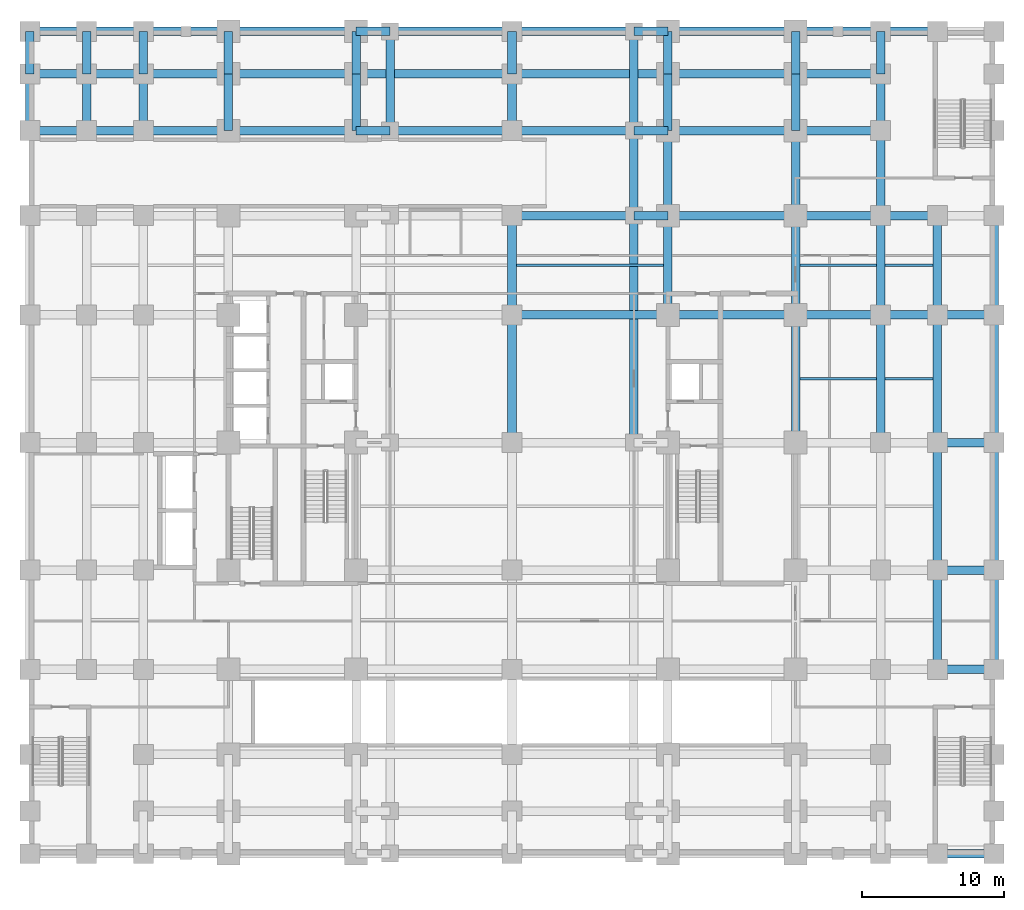
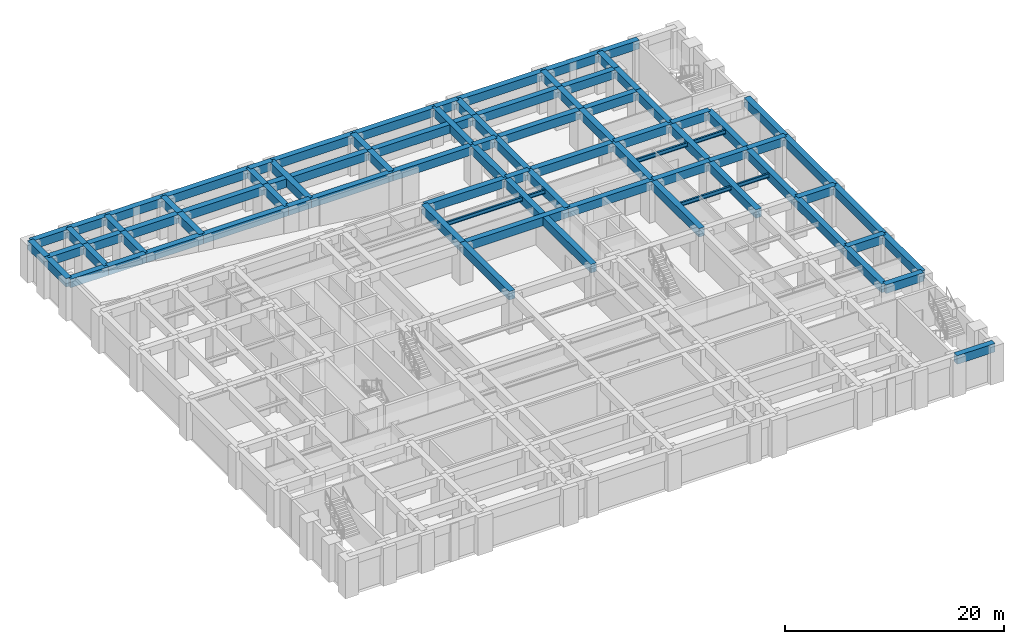
# One storey, part 3 of 14: 88 beams.
"""IFC4 building model written with IfcOpenShell, lengths in metres."""

from ifc_helpers import new_model, si_unit, direction, frame, origin, origin_2d, place, context, subcontext, project, spatial, rectangle, i_section, extrude, material, material_profile, profile_set, type_object, element, save


model = new_model("IFC4")

# Units and contexts
model_context = context("Model", 3, precision=1e-05, world=origin(), true_north=direction((0.0, 1.0)))
body_context = subcontext(model_context, "Body", "Model", "MODEL_VIEW")
ifc_project = project(units=[si_unit("LENGTHUNIT", "METRE"), si_unit("AREAUNIT", "SQUARE_METRE"), si_unit("VOLUMEUNIT", "CUBIC_METRE"), si_unit("PLANEANGLEUNIT", "RADIAN"), si_unit("MASSUNIT", "GRAM", prefix="KILO")], contexts=[model_context])

# Site, building, storey
site_placement = place(None, origin())
site = spatial("IfcSite", under=ifc_project, at=site_placement, CompositionType="ELEMENT")
building_placement = place(site_placement, origin())
building = spatial("IfcBuilding", under=site, at=building_placement, Name="Zulmaris Gate Convention Tower", CompositionType="ELEMENT")
storey_placement = place(building_placement, frame((0.0, 0.0, -4.550048828125)))
storey = spatial("IfcBuildingStorey", under=building, at=storey_placement, Name="B1", CompositionType="ELEMENT", Elevation=-4.550048828125)

# Beams
ifc_material_1 = material(Name="Concrete C60/75", Category="concrete")
ifc_material_profile_1 = material_profile(ifc_material_1, rectangle(XDim=0.60009765625, YDim=0.949951171875, at=origin_2d()), Name="RC BEAM 600x950")
ifc_profile_set_1 = profile_set([ifc_material_profile_1], Name="Concrete C60/75")
beam_type_1 = type_object("IfcBeamType", Name="BM-RC600x950", PredefinedType="BEAM", material=ifc_profile_set_1)
for number, where, z_axis, x_axis, name in (
    (1, (30.0, -29.0, 3.72509765625), (1.0, 0.0, 0.0), (0.0, 1.0, 0.0), "B1 Beam BM-B1-X--29.0-+30.0"),
    (2, (30.0, -16.0, 3.72509765625), (1.0, 0.0, 0.0), (0.0, 1.0, 0.0), "B1 Beam BM-B1-X--16.0-+30.0"),
    (3, (30.0, -9.0, 3.72509765625), (1.0, 0.0, 0.0), (0.0, 1.0, 0.0), "B1 Beam BM-B1-X--9.0-+30.0"),
    (4, (30.0, 0.0, 3.72509765625), (1.0, 0.0, 0.0), (0.0, 1.0, 0.0), "B1 Beam BM-B1-X-+0.0-+30.0"),
):
    element("IfcBeam", number, at=place(storey_placement, frame(where, z_axis=z_axis, x_axis=x_axis)), inside=storey, type_object=beam_type_1, Name=name, PredefinedType="BEAM", context=body_context, shape_type="SweptSolid", body=[
        extrude(rectangle(XDim=0.60009765625, YDim=0.949951171875, at=origin_2d()), origin(), (0.0, 0.0, 1.0), 4.0),
    ])
beam_1_placement = place(storey_placement, frame((0.0, 9.0, 3.72509765625), z_axis=(1.0, 0.0, 0.0), x_axis=(0.0, 1.0, 0.0)))
element("IfcBeam", 5, at=beam_1_placement, inside=storey, type_object=beam_type_1, Name="B1 Beam BM-B1-X-+9.0-+0.0", PredefinedType="BEAM", context=body_context, shape_type="SweptSolid", body=[
    extrude(rectangle(XDim=0.60009765625, YDim=0.949951171875, at=origin_2d()), origin(), (0.0, 0.0, 1.0), 11.0),
])
beam_2_placement = place(storey_placement, frame((11.0, 9.0, 3.72509765625), z_axis=(1.0, 0.0, 0.0), x_axis=(0.0, 1.0, 0.0)))
element("IfcBeam", 6, at=beam_2_placement, inside=storey, type_object=beam_type_1, Name="B1 Beam BM-B1-X-+9.0-+11.0", PredefinedType="BEAM", context=body_context, shape_type="SweptSolid", body=[
    extrude(rectangle(XDim=0.60009765625, YDim=0.949951171875, at=origin_2d()), origin(), (0.0, 0.0, 1.0), 9.0),
])
beam_3_placement = place(storey_placement, frame((20.0, 9.0, 3.72509765625), z_axis=(1.0, 0.0, 0.0), x_axis=(0.0, 1.0, 0.0)))
element("IfcBeam", 7, at=beam_3_placement, inside=storey, type_object=beam_type_1, Name="B1 Beam BM-B1-X-+9.0-+20.0", PredefinedType="BEAM", context=body_context, shape_type="SweptSolid", body=[
    extrude(rectangle(XDim=0.60009765625, YDim=0.949951171875, at=origin_2d()), origin(), (0.0, 0.0, 1.0), 6.0),
])
for number, where, z_axis, x_axis, name in (
    (8, (26.0, 9.0, 3.72509765625), (1.0, 0.0, 0.0), (0.0, 1.0, 0.0), "B1 Beam BM-B1-X-+9.0-+26.0"),
    (9, (30.0, 9.0, 3.72509765625), (1.0, 0.0, 0.0), (0.0, 1.0, 0.0), "B1 Beam BM-B1-X-+9.0-+30.0"),
):
    element("IfcBeam", number, at=place(storey_placement, frame(where, z_axis=z_axis, x_axis=x_axis)), inside=storey, type_object=beam_type_1, Name=name, PredefinedType="BEAM", context=body_context, shape_type="SweptSolid", body=[
        extrude(rectangle(XDim=0.60009765625, YDim=0.949951171875, at=origin_2d()), origin(), (0.0, 0.0, 1.0), 4.0),
    ])
beam_4_placement = place(storey_placement, frame((0.0, 16.0, 3.72509765625), z_axis=(1.0, 0.0, 0.0), x_axis=(0.0, 1.0, 0.0)))
element("IfcBeam", 10, at=beam_4_placement, inside=storey, type_object=beam_type_1, Name="B1 Beam BM-B1-X-+16.0-+0.0", PredefinedType="BEAM", context=body_context, shape_type="SweptSolid", body=[
    extrude(rectangle(XDim=0.60009765625, YDim=0.949951171875, at=origin_2d()), origin(), (0.0, 0.0, 1.0), 8.60009765625),
])
beam_5_placement = place(storey_placement, frame((8.60009765625, 16.0, 3.72509765625), z_axis=(1.0, 0.0, 0.0), x_axis=(0.0, 1.0, 0.0)))
element("IfcBeam", 11, at=beam_5_placement, inside=storey, type_object=beam_type_1, Name="B1 Beam BM-B1-X-+16.0-+8.6", PredefinedType="BEAM", context=body_context, shape_type="SweptSolid", body=[
    extrude(rectangle(XDim=0.60009765625, YDim=0.949951171875, at=origin_2d()), origin(), (0.0, 0.0, 1.0), 2.39990234375),
])
beam_6_placement = place(storey_placement, frame((11.0, 16.0, 3.72509765625), z_axis=(1.0, 0.0, 0.0), x_axis=(0.0, 1.0, 0.0)))
element("IfcBeam", 12, at=beam_6_placement, inside=storey, type_object=beam_type_1, Name="B1 Beam BM-B1-X-+16.0-+11.0", PredefinedType="BEAM", context=body_context, shape_type="SweptSolid", body=[
    extrude(rectangle(XDim=0.60009765625, YDim=0.949951171875, at=origin_2d()), origin(), (0.0, 0.0, 1.0), 9.0),
])
beam_7_placement = place(storey_placement, frame((20.0, 16.0, 3.72509765625), z_axis=(1.0, 0.0, 0.0), x_axis=(0.0, 1.0, 0.0)))
element("IfcBeam", 13, at=beam_7_placement, inside=storey, type_object=beam_type_1, Name="B1 Beam BM-B1-X-+16.0-+20.0", PredefinedType="BEAM", context=body_context, shape_type="SweptSolid", body=[
    extrude(rectangle(XDim=0.60009765625, YDim=0.949951171875, at=origin_2d()), origin(), (0.0, 0.0, 1.0), 6.0),
])
for number, where, z_axis, x_axis, name in (
    (14, (26.0, 16.0, 3.72509765625), (1.0, 0.0, 0.0), (0.0, 1.0, 0.0), "B1 Beam BM-B1-X-+16.0-+26.0"),
    (15, (-34.0, 22.0, 3.72509765625), (1.0, 0.0, 0.0), (0.0, 1.0, 0.0), "B1 Beam BM-B1-X-+22.0--34.0"),
    (16, (-30.0, 22.0, 3.72509765625), (1.0, 0.0, 0.0), (0.0, 1.0, 0.0), "B1 Beam BM-B1-X-+22.0--30.0"),
):
    element("IfcBeam", number, at=place(storey_placement, frame(where, z_axis=z_axis, x_axis=x_axis)), inside=storey, type_object=beam_type_1, Name=name, PredefinedType="BEAM", context=body_context, shape_type="SweptSolid", body=[
        extrude(rectangle(XDim=0.60009765625, YDim=0.949951171875, at=origin_2d()), origin(), (0.0, 0.0, 1.0), 4.0),
    ])
beam_8_placement = place(storey_placement, frame((-26.0, 22.0, 3.72509765625), z_axis=(1.0, 0.0, 0.0), x_axis=(0.0, 1.0, 0.0)))
element("IfcBeam", 17, at=beam_8_placement, inside=storey, type_object=beam_type_1, Name="B1 Beam BM-B1-X-+22.0--26.0", PredefinedType="BEAM", context=body_context, shape_type="SweptSolid", body=[
    extrude(rectangle(XDim=0.60009765625, YDim=0.949951171875, at=origin_2d()), origin(), (0.0, 0.0, 1.0), 6.0),
])
beam_9_placement = place(storey_placement, frame((-20.0, 22.0, 3.72509765625), z_axis=(1.0, 0.0, 0.0), x_axis=(0.0, 1.0, 0.0)))
element("IfcBeam", 18, at=beam_9_placement, inside=storey, type_object=beam_type_1, Name="B1 Beam BM-B1-X-+22.0--20.0", PredefinedType="BEAM", context=body_context, shape_type="SweptSolid", body=[
    extrude(rectangle(XDim=0.60009765625, YDim=0.949951171875, at=origin_2d()), origin(), (0.0, 0.0, 1.0), 9.0),
])
beam_10_placement = place(storey_placement, frame((-11.0, 22.0, 3.72509765625), z_axis=(1.0, 0.0, 0.0), x_axis=(0.0, 1.0, 0.0)))
element("IfcBeam", 19, at=beam_10_placement, inside=storey, type_object=beam_type_1, Name="B1 Beam BM-B1-X-+22.0--11.0", PredefinedType="BEAM", context=body_context, shape_type="SweptSolid", body=[
    extrude(rectangle(XDim=0.60009765625, YDim=0.949951171875, at=origin_2d()), origin(), (0.0, 0.0, 1.0), 2.39990234375),
])
for number, where, z_axis, x_axis, name in (
    (20, (-8.60009765625, 22.0, 3.72509765625), (1.0, 0.0, 0.0), (0.0, 1.0, 0.0), "B1 Beam BM-B1-X-+22.0--8.6"),
    (21, (0.0, 22.0, 3.72509765625), (1.0, 0.0, 0.0), (0.0, 1.0, 0.0), "B1 Beam BM-B1-X-+22.0-+0.0"),
):
    element("IfcBeam", number, at=place(storey_placement, frame(where, z_axis=z_axis, x_axis=x_axis)), inside=storey, type_object=beam_type_1, Name=name, PredefinedType="BEAM", context=body_context, shape_type="SweptSolid", body=[
        extrude(rectangle(XDim=0.60009765625, YDim=0.949951171875, at=origin_2d()), origin(), (0.0, 0.0, 1.0), 8.60009765625),
    ])
beam_11_placement = place(storey_placement, frame((8.60009765625, 22.0, 3.72509765625), z_axis=(1.0, 0.0, 0.0), x_axis=(0.0, 1.0, 0.0)))
element("IfcBeam", 22, at=beam_11_placement, inside=storey, type_object=beam_type_1, Name="B1 Beam BM-B1-X-+22.0-+8.6", PredefinedType="BEAM", context=body_context, shape_type="SweptSolid", body=[
    extrude(rectangle(XDim=0.60009765625, YDim=0.949951171875, at=origin_2d()), origin(), (0.0, 0.0, 1.0), 2.39990234375),
])
beam_12_placement = place(storey_placement, frame((11.0, 22.0, 3.72509765625), z_axis=(1.0, 0.0, 0.0), x_axis=(0.0, 1.0, 0.0)))
element("IfcBeam", 23, at=beam_12_placement, inside=storey, type_object=beam_type_1, Name="B1 Beam BM-B1-X-+22.0-+11.0", PredefinedType="BEAM", context=body_context, shape_type="SweptSolid", body=[
    extrude(rectangle(XDim=0.60009765625, YDim=0.949951171875, at=origin_2d()), origin(), (0.0, 0.0, 1.0), 9.0),
])
beam_13_placement = place(storey_placement, frame((20.0, 22.0, 3.72509765625), z_axis=(1.0, 0.0, 0.0), x_axis=(0.0, 1.0, 0.0)))
element("IfcBeam", 24, at=beam_13_placement, inside=storey, type_object=beam_type_1, Name="B1 Beam BM-B1-X-+22.0-+20.0", PredefinedType="BEAM", context=body_context, shape_type="SweptSolid", body=[
    extrude(rectangle(XDim=0.60009765625, YDim=0.949951171875, at=origin_2d()), origin(), (0.0, 0.0, 1.0), 6.0),
])
for number, where, z_axis, x_axis, name in (
    (25, (-34.0, 26.0, 3.72509765625), (1.0, 0.0, 0.0), (0.0, 1.0, 0.0), "B1 Beam BM-B1-X-+26.0--34.0"),
    (26, (-30.0, 26.0, 3.72509765625), (1.0, 0.0, 0.0), (0.0, 1.0, 0.0), "B1 Beam BM-B1-X-+26.0--30.0"),
):
    element("IfcBeam", number, at=place(storey_placement, frame(where, z_axis=z_axis, x_axis=x_axis)), inside=storey, type_object=beam_type_1, Name=name, PredefinedType="BEAM", context=body_context, shape_type="SweptSolid", body=[
        extrude(rectangle(XDim=0.60009765625, YDim=0.949951171875, at=origin_2d()), origin(), (0.0, 0.0, 1.0), 4.0),
    ])
beam_14_placement = place(storey_placement, frame((-26.0, 26.0, 3.72509765625), z_axis=(1.0, 0.0, 0.0), x_axis=(0.0, 1.0, 0.0)))
element("IfcBeam", 27, at=beam_14_placement, inside=storey, type_object=beam_type_1, Name="B1 Beam BM-B1-X-+26.0--26.0", PredefinedType="BEAM", context=body_context, shape_type="SweptSolid", body=[
    extrude(rectangle(XDim=0.60009765625, YDim=0.949951171875, at=origin_2d()), origin(), (0.0, 0.0, 1.0), 6.0),
])
beam_15_placement = place(storey_placement, frame((-20.0, 26.0, 3.72509765625), z_axis=(1.0, 0.0, 0.0), x_axis=(0.0, 1.0, 0.0)))
element("IfcBeam", 28, at=beam_15_placement, inside=storey, type_object=beam_type_1, Name="B1 Beam BM-B1-X-+26.0--20.0", PredefinedType="BEAM", context=body_context, shape_type="SweptSolid", body=[
    extrude(rectangle(XDim=0.60009765625, YDim=0.949951171875, at=origin_2d()), origin(), (0.0, 0.0, 1.0), 9.0),
])
for number, where, z_axis, x_axis, name in (
    (29, (-11.0, 26.0, 3.72509765625), (1.0, 0.0, 0.0), (0.0, 1.0, 0.0), "B1 Beam BM-B1-X-+26.0--11.0"),
    (30, (0.0, 26.0, 3.72509765625), (1.0, 0.0, 0.0), (0.0, 1.0, 0.0), "B1 Beam BM-B1-X-+26.0-+0.0"),
):
    element("IfcBeam", number, at=place(storey_placement, frame(where, z_axis=z_axis, x_axis=x_axis)), inside=storey, type_object=beam_type_1, Name=name, PredefinedType="BEAM", context=body_context, shape_type="SweptSolid", body=[
        extrude(rectangle(XDim=0.60009765625, YDim=0.949951171875, at=origin_2d()), origin(), (0.0, 0.0, 1.0), 11.0),
    ])
beam_16_placement = place(storey_placement, frame((11.0, 26.0, 3.72509765625), z_axis=(1.0, 0.0, 0.0), x_axis=(0.0, 1.0, 0.0)))
element("IfcBeam", 31, at=beam_16_placement, inside=storey, type_object=beam_type_1, Name="B1 Beam BM-B1-X-+26.0-+11.0", PredefinedType="BEAM", context=body_context, shape_type="SweptSolid", body=[
    extrude(rectangle(XDim=0.60009765625, YDim=0.949951171875, at=origin_2d()), origin(), (0.0, 0.0, 1.0), 9.0),
])
beam_17_placement = place(storey_placement, frame((20.0, 26.0, 3.72509765625), z_axis=(1.0, 0.0, 0.0), x_axis=(0.0, 1.0, 0.0)))
element("IfcBeam", 32, at=beam_17_placement, inside=storey, type_object=beam_type_1, Name="B1 Beam BM-B1-X-+26.0-+20.0", PredefinedType="BEAM", context=body_context, shape_type="SweptSolid", body=[
    extrude(rectangle(XDim=0.60009765625, YDim=0.949951171875, at=origin_2d()), origin(), (0.0, 0.0, 1.0), 6.0),
])
for number, where, z_axis, x_axis, name in (
    (33, (-34.0, 29.0, 3.72509765625), (1.0, 0.0, 0.0), (0.0, 1.0, 0.0), "B1 Beam BM-B1-X-+29.0--34.0"),
    (34, (-30.0, 29.0, 3.72509765625), (1.0, 0.0, 0.0), (0.0, 1.0, 0.0), "B1 Beam BM-B1-X-+29.0--30.0"),
):
    element("IfcBeam", number, at=place(storey_placement, frame(where, z_axis=z_axis, x_axis=x_axis)), inside=storey, type_object=beam_type_1, Name=name, PredefinedType="BEAM", context=body_context, shape_type="SweptSolid", body=[
        extrude(rectangle(XDim=0.60009765625, YDim=0.949951171875, at=origin_2d()), origin(), (0.0, 0.0, 1.0), 4.0),
    ])
beam_18_placement = place(storey_placement, frame((-26.0, 29.0, 3.72509765625), z_axis=(1.0, 0.0, 0.0), x_axis=(0.0, 1.0, 0.0)))
element("IfcBeam", 35, at=beam_18_placement, inside=storey, type_object=beam_type_1, Name="B1 Beam BM-B1-X-+29.0--26.0", PredefinedType="BEAM", context=body_context, shape_type="SweptSolid", body=[
    extrude(rectangle(XDim=0.60009765625, YDim=0.949951171875, at=origin_2d()), origin(), (0.0, 0.0, 1.0), 6.0),
])
beam_19_placement = place(storey_placement, frame((-20.0, 29.0, 3.72509765625), z_axis=(1.0, 0.0, 0.0), x_axis=(0.0, 1.0, 0.0)))
element("IfcBeam", 36, at=beam_19_placement, inside=storey, type_object=beam_type_1, Name="B1 Beam BM-B1-X-+29.0--20.0", PredefinedType="BEAM", context=body_context, shape_type="SweptSolid", body=[
    extrude(rectangle(XDim=0.60009765625, YDim=0.949951171875, at=origin_2d()), origin(), (0.0, 0.0, 1.0), 9.0),
])
beam_20_placement = place(storey_placement, frame((-11.0, 29.0, 3.72509765625), z_axis=(1.0, 0.0, 0.0), x_axis=(0.0, 1.0, 0.0)))
element("IfcBeam", 37, at=beam_20_placement, inside=storey, type_object=beam_type_1, Name="B1 Beam BM-B1-X-+29.0--11.0", PredefinedType="BEAM", context=body_context, shape_type="SweptSolid", body=[
    extrude(rectangle(XDim=0.60009765625, YDim=0.949951171875, at=origin_2d()), origin(), (0.0, 0.0, 1.0), 2.39990234375),
])
for number, where, z_axis, x_axis, name in (
    (38, (-8.60009765625, 29.0, 3.72509765625), (1.0, 0.0, 0.0), (0.0, 1.0, 0.0), "B1 Beam BM-B1-X-+29.0--8.6"),
    (39, (0.0, 29.0, 3.72509765625), (1.0, 0.0, 0.0), (0.0, 1.0, 0.0), "B1 Beam BM-B1-X-+29.0-+0.0"),
):
    element("IfcBeam", number, at=place(storey_placement, frame(where, z_axis=z_axis, x_axis=x_axis)), inside=storey, type_object=beam_type_1, Name=name, PredefinedType="BEAM", context=body_context, shape_type="SweptSolid", body=[
        extrude(rectangle(XDim=0.60009765625, YDim=0.949951171875, at=origin_2d()), origin(), (0.0, 0.0, 1.0), 8.60009765625),
    ])
beam_21_placement = place(storey_placement, frame((8.60009765625, 29.0, 3.72509765625), z_axis=(1.0, 0.0, 0.0), x_axis=(0.0, 1.0, 0.0)))
element("IfcBeam", 40, at=beam_21_placement, inside=storey, type_object=beam_type_1, Name="B1 Beam BM-B1-X-+29.0-+8.6", PredefinedType="BEAM", context=body_context, shape_type="SweptSolid", body=[
    extrude(rectangle(XDim=0.60009765625, YDim=0.949951171875, at=origin_2d()), origin(), (0.0, 0.0, 1.0), 2.39990234375),
])
beam_22_placement = place(storey_placement, frame((11.0, 29.0, 3.72509765625), z_axis=(1.0, 0.0, 0.0), x_axis=(0.0, 1.0, 0.0)))
element("IfcBeam", 41, at=beam_22_placement, inside=storey, type_object=beam_type_1, Name="B1 Beam BM-B1-X-+29.0-+11.0", PredefinedType="BEAM", context=body_context, shape_type="SweptSolid", body=[
    extrude(rectangle(XDim=0.60009765625, YDim=0.949951171875, at=origin_2d()), origin(), (0.0, 0.0, 1.0), 9.0),
])
beam_23_placement = place(storey_placement, frame((20.0, 29.0, 3.72509765625), z_axis=(1.0, 0.0, 0.0), x_axis=(0.0, 1.0, 0.0)))
element("IfcBeam", 42, at=beam_23_placement, inside=storey, type_object=beam_type_1, Name="B1 Beam BM-B1-X-+29.0-+20.0", PredefinedType="BEAM", context=body_context, shape_type="SweptSolid", body=[
    extrude(rectangle(XDim=0.60009765625, YDim=0.949951171875, at=origin_2d()), origin(), (0.0, 0.0, 1.0), 6.0),
])
for number, where, z_axis, x_axis, name in (
    (43, (26.0, 29.0, 3.72509765625), (1.0, 0.0, 0.0), (0.0, 1.0, 0.0), "B1 Beam BM-B1-X-+29.0-+26.0"),
    (44, (-34.0, 22.0, 3.72509765625), (0.0, 1.0, 0.0), (-1.0, 0.0, 0.0), "B1 Beam BM-B1-Y--34.0-+22.0"),
):
    element("IfcBeam", number, at=place(storey_placement, frame(where, z_axis=z_axis, x_axis=x_axis)), inside=storey, type_object=beam_type_1, Name=name, PredefinedType="BEAM", context=body_context, shape_type="SweptSolid", body=[
        extrude(rectangle(XDim=0.60009765625, YDim=0.949951171875, at=origin_2d()), origin(), (0.0, 0.0, 1.0), 4.0),
    ])
beam_24_placement = place(storey_placement, frame((-34.0, 26.0, 3.72509765625), z_axis=(0.0, 1.0, 0.0), x_axis=(-1.0, 0.0, 0.0)))
element("IfcBeam", 45, at=beam_24_placement, inside=storey, type_object=beam_type_1, Name="B1 Beam BM-B1-Y--34.0-+26.0", PredefinedType="BEAM", context=body_context, shape_type="SweptSolid", body=[
    extrude(rectangle(XDim=0.60009765625, YDim=0.949951171875, at=origin_2d()), origin(), (0.0, 0.0, 1.0), 3.0),
])
beam_25_placement = place(storey_placement, frame((-30.0, 22.0, 3.72509765625), z_axis=(0.0, 1.0, 0.0), x_axis=(-1.0, 0.0, 0.0)))
element("IfcBeam", 46, at=beam_25_placement, inside=storey, type_object=beam_type_1, Name="B1 Beam BM-B1-Y--30.0-+22.0", PredefinedType="BEAM", context=body_context, shape_type="SweptSolid", body=[
    extrude(rectangle(XDim=0.60009765625, YDim=0.949951171875, at=origin_2d()), origin(), (0.0, 0.0, 1.0), 4.0),
])
beam_26_placement = place(storey_placement, frame((-30.0, 26.0, 3.72509765625), z_axis=(0.0, 1.0, 0.0), x_axis=(-1.0, 0.0, 0.0)))
element("IfcBeam", 47, at=beam_26_placement, inside=storey, type_object=beam_type_1, Name="B1 Beam BM-B1-Y--30.0-+26.0", PredefinedType="BEAM", context=body_context, shape_type="SweptSolid", body=[
    extrude(rectangle(XDim=0.60009765625, YDim=0.949951171875, at=origin_2d()), origin(), (0.0, 0.0, 1.0), 3.0),
])
beam_27_placement = place(storey_placement, frame((-26.0, 22.0, 3.72509765625), z_axis=(0.0, 1.0, 0.0), x_axis=(-1.0, 0.0, 0.0)))
element("IfcBeam", 48, at=beam_27_placement, inside=storey, type_object=beam_type_1, Name="B1 Beam BM-B1-Y--26.0-+22.0", PredefinedType="BEAM", context=body_context, shape_type="SweptSolid", body=[
    extrude(rectangle(XDim=0.60009765625, YDim=0.949951171875, at=origin_2d()), origin(), (0.0, 0.0, 1.0), 4.0),
])
beam_28_placement = place(storey_placement, frame((-26.0, 26.0, 3.72509765625), z_axis=(0.0, 1.0, 0.0), x_axis=(-1.0, 0.0, 0.0)))
element("IfcBeam", 49, at=beam_28_placement, inside=storey, type_object=beam_type_1, Name="B1 Beam BM-B1-Y--26.0-+26.0", PredefinedType="BEAM", context=body_context, shape_type="SweptSolid", body=[
    extrude(rectangle(XDim=0.60009765625, YDim=0.949951171875, at=origin_2d()), origin(), (0.0, 0.0, 1.0), 3.0),
])
beam_29_placement = place(storey_placement, frame((-20.0, 22.0, 3.72509765625), z_axis=(0.0, 1.0, 0.0), x_axis=(-1.0, 0.0, 0.0)))
element("IfcBeam", 50, at=beam_29_placement, inside=storey, type_object=beam_type_1, Name="B1 Beam BM-B1-Y--20.0-+22.0", PredefinedType="BEAM", context=body_context, shape_type="SweptSolid", body=[
    extrude(rectangle(XDim=0.60009765625, YDim=0.949951171875, at=origin_2d()), origin(), (0.0, 0.0, 1.0), 4.0),
])
beam_30_placement = place(storey_placement, frame((-20.0, 26.0, 3.72509765625), z_axis=(0.0, 1.0, 0.0), x_axis=(-1.0, 0.0, 0.0)))
element("IfcBeam", 51, at=beam_30_placement, inside=storey, type_object=beam_type_1, Name="B1 Beam BM-B1-Y--20.0-+26.0", PredefinedType="BEAM", context=body_context, shape_type="SweptSolid", body=[
    extrude(rectangle(XDim=0.60009765625, YDim=0.949951171875, at=origin_2d()), origin(), (0.0, 0.0, 1.0), 3.0),
])
beam_31_placement = place(storey_placement, frame((-11.0, 22.0, 3.72509765625), z_axis=(0.0, 1.0, 0.0), x_axis=(-1.0, 0.0, 0.0)))
element("IfcBeam", 52, at=beam_31_placement, inside=storey, type_object=beam_type_1, Name="B1 Beam BM-B1-Y--11.0-+22.0", PredefinedType="BEAM", context=body_context, shape_type="SweptSolid", body=[
    extrude(rectangle(XDim=0.60009765625, YDim=0.949951171875, at=origin_2d()), origin(), (0.0, 0.0, 1.0), 4.0),
])
beam_32_placement = place(storey_placement, frame((-11.0, 26.0, 3.72509765625), z_axis=(0.0, 1.0, 0.0), x_axis=(-1.0, 0.0, 0.0)))
element("IfcBeam", 53, at=beam_32_placement, inside=storey, type_object=beam_type_1, Name="B1 Beam BM-B1-Y--11.0-+26.0", PredefinedType="BEAM", context=body_context, shape_type="SweptSolid", body=[
    extrude(rectangle(XDim=0.60009765625, YDim=0.949951171875, at=origin_2d()), origin(), (0.0, 0.0, 1.0), 3.0),
])
beam_33_placement = place(storey_placement, frame((-8.60009765625, 22.0, 3.72509765625), z_axis=(0.0, 1.0, 0.0), x_axis=(-1.0, 0.0, 0.0)))
element("IfcBeam", 54, at=beam_33_placement, inside=storey, type_object=beam_type_1, Name="B1 Beam BM-B1-Y--8.6-+22.0", PredefinedType="BEAM", context=body_context, shape_type="SweptSolid", body=[
    extrude(rectangle(XDim=0.60009765625, YDim=0.949951171875, at=origin_2d()), origin(), (0.0, 0.0, 1.0), 7.0),
])
beam_34_placement = place(storey_placement, frame((0.0, 0.0, 3.72509765625), z_axis=(0.0, 1.0, 0.0), x_axis=(-1.0, 0.0, 0.0)))
element("IfcBeam", 55, at=beam_34_placement, inside=storey, type_object=beam_type_1, Name="B1 Beam BM-B1-Y-+0.0-+0.0", PredefinedType="BEAM", context=body_context, shape_type="SweptSolid", body=[
    extrude(rectangle(XDim=0.60009765625, YDim=0.949951171875, at=origin_2d()), origin(), (0.0, 0.0, 1.0), 9.0),
])
beam_35_placement = place(storey_placement, frame((0.0, 9.0, 3.72509765625), z_axis=(0.0, 1.0, 0.0), x_axis=(-1.0, 0.0, 0.0)))
element("IfcBeam", 56, at=beam_35_placement, inside=storey, type_object=beam_type_1, Name="B1 Beam BM-B1-Y-+0.0-+9.0", PredefinedType="BEAM", context=body_context, shape_type="SweptSolid", body=[
    extrude(rectangle(XDim=0.60009765625, YDim=0.949951171875, at=origin_2d()), origin(), (0.0, 0.0, 1.0), 7.0),
])
beam_36_placement = place(storey_placement, frame((0.0, 22.0, 3.72509765625), z_axis=(0.0, 1.0, 0.0), x_axis=(-1.0, 0.0, 0.0)))
element("IfcBeam", 57, at=beam_36_placement, inside=storey, type_object=beam_type_1, Name="B1 Beam BM-B1-Y-+0.0-+22.0", PredefinedType="BEAM", context=body_context, shape_type="SweptSolid", body=[
    extrude(rectangle(XDim=0.60009765625, YDim=0.949951171875, at=origin_2d()), origin(), (0.0, 0.0, 1.0), 4.0),
])
beam_37_placement = place(storey_placement, frame((0.0, 26.0, 3.72509765625), z_axis=(0.0, 1.0, 0.0), x_axis=(-1.0, 0.0, 0.0)))
element("IfcBeam", 58, at=beam_37_placement, inside=storey, type_object=beam_type_1, Name="B1 Beam BM-B1-Y-+0.0-+26.0", PredefinedType="BEAM", context=body_context, shape_type="SweptSolid", body=[
    extrude(rectangle(XDim=0.60009765625, YDim=0.949951171875, at=origin_2d()), origin(), (0.0, 0.0, 1.0), 3.0),
])
beam_38_placement = place(storey_placement, frame((8.60009765625, 0.0, 3.72509765625), z_axis=(0.0, 1.0, 0.0), x_axis=(-1.0, 0.0, 0.0)))
element("IfcBeam", 59, at=beam_38_placement, inside=storey, type_object=beam_type_1, Name="B1 Beam BM-B1-Y-+8.6-+0.0", PredefinedType="BEAM", context=body_context, shape_type="SweptSolid", body=[
    extrude(rectangle(XDim=0.60009765625, YDim=0.949951171875, at=origin_2d()), origin(), (0.0, 0.0, 1.0), 16.0),
])
beam_39_placement = place(storey_placement, frame((8.60009765625, 16.0, 3.72509765625), z_axis=(0.0, 1.0, 0.0), x_axis=(-1.0, 0.0, 0.0)))
element("IfcBeam", 60, at=beam_39_placement, inside=storey, type_object=beam_type_1, Name="B1 Beam BM-B1-Y-+8.6-+16.0", PredefinedType="BEAM", context=body_context, shape_type="SweptSolid", body=[
    extrude(rectangle(XDim=0.60009765625, YDim=0.949951171875, at=origin_2d()), origin(), (0.0, 0.0, 1.0), 6.0),
])
for number, where, z_axis, x_axis, name in (
    (61, (8.60009765625, 22.0, 3.72509765625), (0.0, 1.0, 0.0), (-1.0, 0.0, 0.0), "B1 Beam BM-B1-Y-+8.6-+22.0"),
    (62, (11.0, 9.0, 3.72509765625), (0.0, 1.0, 0.0), (-1.0, 0.0, 0.0), "B1 Beam BM-B1-Y-+11.0-+9.0"),
):
    element("IfcBeam", number, at=place(storey_placement, frame(where, z_axis=z_axis, x_axis=x_axis)), inside=storey, type_object=beam_type_1, Name=name, PredefinedType="BEAM", context=body_context, shape_type="SweptSolid", body=[
        extrude(rectangle(XDim=0.60009765625, YDim=0.949951171875, at=origin_2d()), origin(), (0.0, 0.0, 1.0), 7.0),
    ])
beam_40_placement = place(storey_placement, frame((11.0, 16.0, 3.72509765625), z_axis=(0.0, 1.0, 0.0), x_axis=(-1.0, 0.0, 0.0)))
element("IfcBeam", 63, at=beam_40_placement, inside=storey, type_object=beam_type_1, Name="B1 Beam BM-B1-Y-+11.0-+16.0", PredefinedType="BEAM", context=body_context, shape_type="SweptSolid", body=[
    extrude(rectangle(XDim=0.60009765625, YDim=0.949951171875, at=origin_2d()), origin(), (0.0, 0.0, 1.0), 6.0),
])
beam_41_placement = place(storey_placement, frame((11.0, 22.0, 3.72509765625), z_axis=(0.0, 1.0, 0.0), x_axis=(-1.0, 0.0, 0.0)))
element("IfcBeam", 64, at=beam_41_placement, inside=storey, type_object=beam_type_1, Name="B1 Beam BM-B1-Y-+11.0-+22.0", PredefinedType="BEAM", context=body_context, shape_type="SweptSolid", body=[
    extrude(rectangle(XDim=0.60009765625, YDim=0.949951171875, at=origin_2d()), origin(), (0.0, 0.0, 1.0), 4.0),
])
beam_42_placement = place(storey_placement, frame((11.0, 26.0, 3.72509765625), z_axis=(0.0, 1.0, 0.0), x_axis=(-1.0, 0.0, 0.0)))
element("IfcBeam", 65, at=beam_42_placement, inside=storey, type_object=beam_type_1, Name="B1 Beam BM-B1-Y-+11.0-+26.0", PredefinedType="BEAM", context=body_context, shape_type="SweptSolid", body=[
    extrude(rectangle(XDim=0.60009765625, YDim=0.949951171875, at=origin_2d()), origin(), (0.0, 0.0, 1.0), 3.0),
])
beam_43_placement = place(storey_placement, frame((20.0, 0.0, 3.72509765625), z_axis=(0.0, 1.0, 0.0), x_axis=(-1.0, 0.0, 0.0)))
element("IfcBeam", 66, at=beam_43_placement, inside=storey, type_object=beam_type_1, Name="B1 Beam BM-B1-Y-+20.0-+0.0", PredefinedType="BEAM", context=body_context, shape_type="SweptSolid", body=[
    extrude(rectangle(XDim=0.60009765625, YDim=0.949951171875, at=origin_2d()), origin(), (0.0, 0.0, 1.0), 9.0),
])
beam_44_placement = place(storey_placement, frame((20.0, 9.0, 3.72509765625), z_axis=(0.0, 1.0, 0.0), x_axis=(-1.0, 0.0, 0.0)))
element("IfcBeam", 67, at=beam_44_placement, inside=storey, type_object=beam_type_1, Name="B1 Beam BM-B1-Y-+20.0-+9.0", PredefinedType="BEAM", context=body_context, shape_type="SweptSolid", body=[
    extrude(rectangle(XDim=0.60009765625, YDim=0.949951171875, at=origin_2d()), origin(), (0.0, 0.0, 1.0), 7.0),
])
beam_45_placement = place(storey_placement, frame((20.0, 16.0, 3.72509765625), z_axis=(0.0, 1.0, 0.0), x_axis=(-1.0, 0.0, 0.0)))
element("IfcBeam", 68, at=beam_45_placement, inside=storey, type_object=beam_type_1, Name="B1 Beam BM-B1-Y-+20.0-+16.0", PredefinedType="BEAM", context=body_context, shape_type="SweptSolid", body=[
    extrude(rectangle(XDim=0.60009765625, YDim=0.949951171875, at=origin_2d()), origin(), (0.0, 0.0, 1.0), 6.0),
])
beam_46_placement = place(storey_placement, frame((20.0, 22.0, 3.72509765625), z_axis=(0.0, 1.0, 0.0), x_axis=(-1.0, 0.0, 0.0)))
element("IfcBeam", 69, at=beam_46_placement, inside=storey, type_object=beam_type_1, Name="B1 Beam BM-B1-Y-+20.0-+22.0", PredefinedType="BEAM", context=body_context, shape_type="SweptSolid", body=[
    extrude(rectangle(XDim=0.60009765625, YDim=0.949951171875, at=origin_2d()), origin(), (0.0, 0.0, 1.0), 4.0),
])
beam_47_placement = place(storey_placement, frame((20.0, 26.0, 3.72509765625), z_axis=(0.0, 1.0, 0.0), x_axis=(-1.0, 0.0, 0.0)))
element("IfcBeam", 70, at=beam_47_placement, inside=storey, type_object=beam_type_1, Name="B1 Beam BM-B1-Y-+20.0-+26.0", PredefinedType="BEAM", context=body_context, shape_type="SweptSolid", body=[
    extrude(rectangle(XDim=0.60009765625, YDim=0.949951171875, at=origin_2d()), origin(), (0.0, 0.0, 1.0), 3.0),
])
beam_48_placement = place(storey_placement, frame((26.0, 0.0, 3.72509765625), z_axis=(0.0, 1.0, 0.0), x_axis=(-1.0, 0.0, 0.0)))
element("IfcBeam", 71, at=beam_48_placement, inside=storey, type_object=beam_type_1, Name="B1 Beam BM-B1-Y-+26.0-+0.0", PredefinedType="BEAM", context=body_context, shape_type="SweptSolid", body=[
    extrude(rectangle(XDim=0.60009765625, YDim=0.949951171875, at=origin_2d()), origin(), (0.0, 0.0, 1.0), 9.0),
])
beam_49_placement = place(storey_placement, frame((26.0, 9.0, 3.72509765625), z_axis=(0.0, 1.0, 0.0), x_axis=(-1.0, 0.0, 0.0)))
element("IfcBeam", 72, at=beam_49_placement, inside=storey, type_object=beam_type_1, Name="B1 Beam BM-B1-Y-+26.0-+9.0", PredefinedType="BEAM", context=body_context, shape_type="SweptSolid", body=[
    extrude(rectangle(XDim=0.60009765625, YDim=0.949951171875, at=origin_2d()), origin(), (0.0, 0.0, 1.0), 7.0),
])
beam_50_placement = place(storey_placement, frame((26.0, 16.0, 3.72509765625), z_axis=(0.0, 1.0, 0.0), x_axis=(-1.0, 0.0, 0.0)))
element("IfcBeam", 73, at=beam_50_placement, inside=storey, type_object=beam_type_1, Name="B1 Beam BM-B1-Y-+26.0-+16.0", PredefinedType="BEAM", context=body_context, shape_type="SweptSolid", body=[
    extrude(rectangle(XDim=0.60009765625, YDim=0.949951171875, at=origin_2d()), origin(), (0.0, 0.0, 1.0), 6.0),
])
beam_51_placement = place(storey_placement, frame((26.0, 22.0, 3.72509765625), z_axis=(0.0, 1.0, 0.0), x_axis=(-1.0, 0.0, 0.0)))
element("IfcBeam", 74, at=beam_51_placement, inside=storey, type_object=beam_type_1, Name="B1 Beam BM-B1-Y-+26.0-+22.0", PredefinedType="BEAM", context=body_context, shape_type="SweptSolid", body=[
    extrude(rectangle(XDim=0.60009765625, YDim=0.949951171875, at=origin_2d()), origin(), (0.0, 0.0, 1.0), 4.0),
])
beam_52_placement = place(storey_placement, frame((26.0, 26.0, 3.72509765625), z_axis=(0.0, 1.0, 0.0), x_axis=(-1.0, 0.0, 0.0)))
element("IfcBeam", 75, at=beam_52_placement, inside=storey, type_object=beam_type_1, Name="B1 Beam BM-B1-Y-+26.0-+26.0", PredefinedType="BEAM", context=body_context, shape_type="SweptSolid", body=[
    extrude(rectangle(XDim=0.60009765625, YDim=0.949951171875, at=origin_2d()), origin(), (0.0, 0.0, 1.0), 3.0),
])
beam_53_placement = place(storey_placement, frame((30.0, -16.0, 3.72509765625), z_axis=(0.0, 1.0, 0.0), x_axis=(-1.0, 0.0, 0.0)))
element("IfcBeam", 76, at=beam_53_placement, inside=storey, type_object=beam_type_1, Name="B1 Beam BM-B1-Y-+30.0--16.0", PredefinedType="BEAM", context=body_context, shape_type="SweptSolid", body=[
    extrude(rectangle(XDim=0.60009765625, YDim=0.949951171875, at=origin_2d()), origin(), (0.0, 0.0, 1.0), 7.0),
])
for number, where, z_axis, x_axis, name in (
    (77, (30.0, -9.0, 3.72509765625), (0.0, 1.0, 0.0), (-1.0, 0.0, 0.0), "B1 Beam BM-B1-Y-+30.0--9.0"),
    (78, (30.0, 0.0, 3.72509765625), (0.0, 1.0, 0.0), (-1.0, 0.0, 0.0), "B1 Beam BM-B1-Y-+30.0-+0.0"),
):
    element("IfcBeam", number, at=place(storey_placement, frame(where, z_axis=z_axis, x_axis=x_axis)), inside=storey, type_object=beam_type_1, Name=name, PredefinedType="BEAM", context=body_context, shape_type="SweptSolid", body=[
        extrude(rectangle(XDim=0.60009765625, YDim=0.949951171875, at=origin_2d()), origin(), (0.0, 0.0, 1.0), 9.0),
    ])
for number, where, z_axis, x_axis, name in (
    (79, (30.0, 9.0, 3.72509765625), (0.0, 1.0, 0.0), (-1.0, 0.0, 0.0), "B1 Beam BM-B1-Y-+30.0-+9.0"),
    (80, (34.0, -16.0, 3.72509765625), (0.0, 1.0, 0.0), (-1.0, 0.0, 0.0), "B1 Beam BM-B1-Y-+34.0--16.0"),
):
    element("IfcBeam", number, at=place(storey_placement, frame(where, z_axis=z_axis, x_axis=x_axis)), inside=storey, type_object=beam_type_1, Name=name, PredefinedType="BEAM", context=body_context, shape_type="SweptSolid", body=[
        extrude(rectangle(XDim=0.60009765625, YDim=0.949951171875, at=origin_2d()), origin(), (0.0, 0.0, 1.0), 7.0),
    ])
for number, where, z_axis, x_axis, name in (
    (81, (34.0, -9.0, 3.72509765625), (0.0, 1.0, 0.0), (-1.0, 0.0, 0.0), "B1 Beam BM-B1-Y-+34.0--9.0"),
    (82, (34.0, 0.0, 3.72509765625), (0.0, 1.0, 0.0), (-1.0, 0.0, 0.0), "B1 Beam BM-B1-Y-+34.0-+0.0"),
):
    element("IfcBeam", number, at=place(storey_placement, frame(where, z_axis=z_axis, x_axis=x_axis)), inside=storey, type_object=beam_type_1, Name=name, PredefinedType="BEAM", context=body_context, shape_type="SweptSolid", body=[
        extrude(rectangle(XDim=0.60009765625, YDim=0.949951171875, at=origin_2d()), origin(), (0.0, 0.0, 1.0), 9.0),
    ])
beam_54_placement = place(storey_placement, frame((34.0, 9.0, 3.72509765625), z_axis=(0.0, 1.0, 0.0), x_axis=(-1.0, 0.0, 0.0)))
element("IfcBeam", 83, at=beam_54_placement, inside=storey, type_object=beam_type_1, Name="B1 Beam BM-B1-Y-+34.0-+9.0", PredefinedType="BEAM", context=body_context, shape_type="SweptSolid", body=[
    extrude(rectangle(XDim=0.60009765625, YDim=0.949951171875, at=origin_2d()), origin(), (0.0, 0.0, 1.0), 7.0),
])
ifc_material_2 = material(Name="Steel S355", Category="steel")
ifc_material_profile_2 = material_profile(ifc_material_2, i_section(OverallWidth=0.18994140625, OverallDepth=0.449951171875, WebThickness=0.009521484375, FlangeThickness=0.0146484375, FilletRadius=0.02099609375, at=origin_2d()), Name="IPE 450")
ifc_profile_set_2 = profile_set([ifc_material_profile_2], Name="Steel S355")
beam_type_2 = type_object("IfcBeamType", Name="JT-IPE450", PredefinedType="JOIST", material=ifc_profile_set_2)
beam_55_placement = place(storey_placement, frame((0.300048828125, 12.5, 3.97314453125), z_axis=(1.0, 0.0, 0.0), x_axis=(0.0, 1.0, 0.0)))
element("IfcBeam", 84, at=beam_55_placement, inside=storey, type_object=beam_type_2, Name="B1 Joist JT-B1-+0_+11-+12.5", PredefinedType="JOIST", context=body_context, shape_type="SweptSolid", body=[
    extrude(i_section(OverallWidth=0.18994140625, OverallDepth=0.449951171875, WebThickness=0.009521484375, FlangeThickness=0.0146484375, FilletRadius=0.02099609375, at=origin_2d()), origin(), (0.0, 0.0, 1.0), 10.39990234375),
])
for number, where, z_axis, x_axis, name in (
    (85, (20.300048828125, 4.5, 3.97314453125), (1.0, 0.0, 0.0), (0.0, 1.0, 0.0), "B1 Joist JT-B1-+20_+26-+4.5"),
    (86, (20.300048828125, 12.5, 3.97314453125), (1.0, 0.0, 0.0), (0.0, 1.0, 0.0), "B1 Joist JT-B1-+20_+26-+12.5"),
):
    element("IfcBeam", number, at=place(storey_placement, frame(where, z_axis=z_axis, x_axis=x_axis)), inside=storey, type_object=beam_type_2, Name=name, PredefinedType="JOIST", context=body_context, shape_type="SweptSolid", body=[
        extrude(i_section(OverallWidth=0.18994140625, OverallDepth=0.449951171875, WebThickness=0.009521484375, FlangeThickness=0.0146484375, FilletRadius=0.02099609375, at=origin_2d()), origin(), (0.0, 0.0, 1.0), 5.39990234375),
    ])
for number, where, z_axis, x_axis, name in (
    (87, (26.300048828125, 4.5, 3.97314453125), (1.0, 0.0, 0.0), (0.0, 1.0, 0.0), "B1 Joist JT-B1-+26_+30-+4.5"),
    (88, (26.300048828125, 12.5, 3.97314453125), (1.0, 0.0, 0.0), (0.0, 1.0, 0.0), "B1 Joist JT-B1-+26_+30-+12.5"),
):
    element("IfcBeam", number, at=place(storey_placement, frame(where, z_axis=z_axis, x_axis=x_axis)), inside=storey, type_object=beam_type_2, Name=name, PredefinedType="JOIST", context=body_context, shape_type="SweptSolid", body=[
        extrude(i_section(OverallWidth=0.18994140625, OverallDepth=0.449951171875, WebThickness=0.009521484375, FlangeThickness=0.0146484375, FilletRadius=0.02099609375, at=origin_2d()), origin(), (0.0, 0.0, 1.0), 3.39990234375),
    ])

save(model, "model.ifc")
